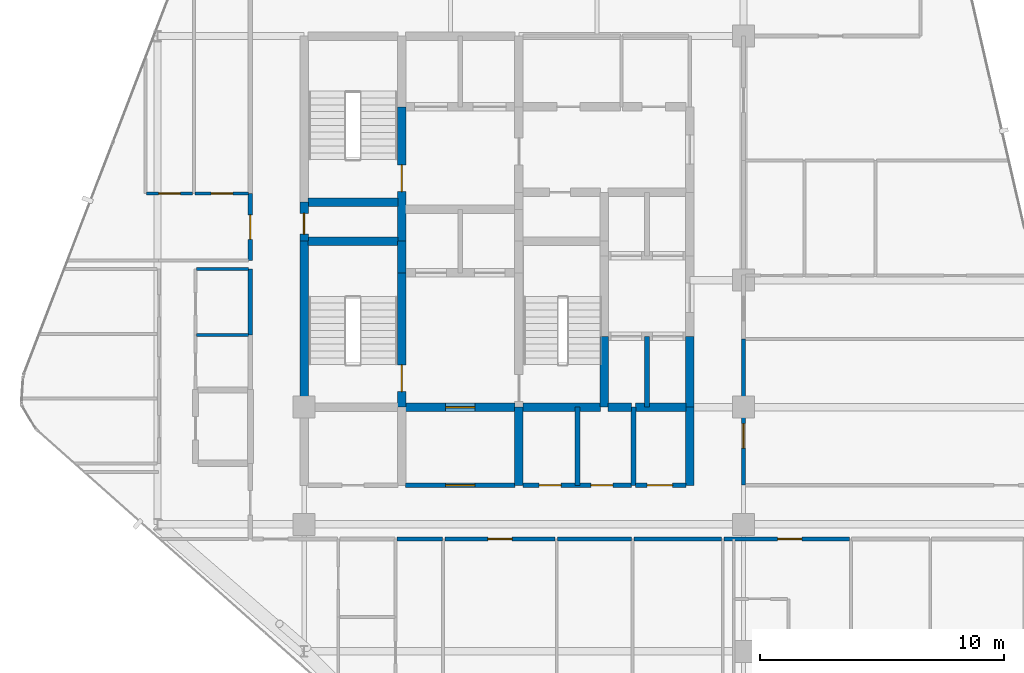
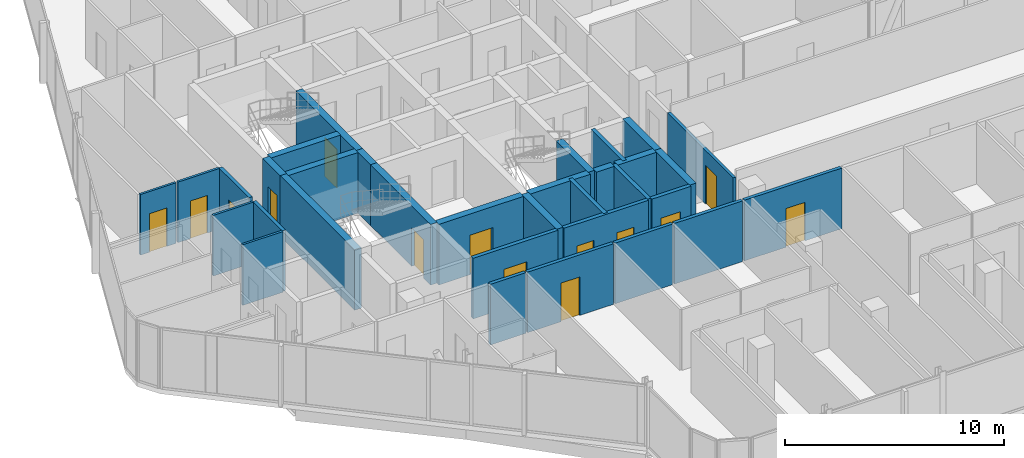
# One storey, part 24 of 29: 33 walls, 14 doors, 14 openings.
"""IFC4 building model written with IfcOpenShell, lengths in metres."""

from ifc_helpers import new_model, si_unit, direction, frame, frame_2d, origin, place, context, subcontext, project, spatial, rectangle, extrude, material, layer, layer_set, type_object, element, fill, save


model = new_model("IFC4")

# Units and contexts
model_context = context("Model", 3, precision=1e-05, world=origin(), true_north=direction((0.0, 1.0)))
body_context = subcontext(model_context, "Body", "Model", "MODEL_VIEW")
ifc_project = project(units=[si_unit("LENGTHUNIT", "METRE"), si_unit("AREAUNIT", "SQUARE_METRE"), si_unit("VOLUMEUNIT", "CUBIC_METRE"), si_unit("PLANEANGLEUNIT", "RADIAN"), si_unit("MASSUNIT", "GRAM", prefix="KILO")], contexts=[model_context])

# Site, building, storey
site_placement = place(None, origin())
site = spatial("IfcSite", under=ifc_project, at=site_placement, CompositionType="ELEMENT")
building_placement = place(site_placement, origin())
building = spatial("IfcBuilding", under=site, at=building_placement, Name="Keshet Zoharim Tower", CompositionType="ELEMENT")
storey_placement = place(building_placement, frame((0.0, 0.0, 180.199951171875)))
storey = spatial("IfcBuildingStorey", under=building, at=storey_placement, Name="L44", CompositionType="ELEMENT", Elevation=180.199951171875)

# Wall, opening, door
ifc_material_1 = material(Name="Gypsum Plasterboard", Category="gypsum")
ifc_layer_1 = layer(ifc_material_1, 0.14990234375)
ifc_layer_set_1 = layer_set([ifc_layer_1], Name="Gypsum Plasterboard")
wall_type_1 = type_object("IfcWallType", Name="WL-CLIN-150", PredefinedType="STANDARD", material=ifc_layer_set_1)
wall_1_placement = place(storey_placement, frame((33.0, 19.510009765625, 0.0), z_axis=(0.0, 0.0, 1.0), x_axis=(0.0, 1.0, 0.0)))
wall_1 = element("IfcWall", 1, at=wall_1_placement, inside=storey, type_object=wall_type_1, Name="L44 Interior Wall 075", PredefinedType="STANDARD", context=body_context, shape_type="SweptSolid", body=[
    extrude(rectangle(XDim=5.989990234375, YDim=0.14990234375, at=frame_2d((2.9951171875, 0.0))), origin(), (0.0, 0.0, 1.0), 2.97998046875),
])
opening_1_placement = place(wall_1_placement, frame((1.512939453125, 0.0, 0.0)))
opening_1 = element("IfcOpeningElement", 2, at=opening_1_placement, cuts=wall_1, Name="Opening D-F310", PredefinedType="OPENING", context=body_context, shape_type="SweptSolid", body=[
    extrude(rectangle(XDim=1.0, YDim=2.14990234375, at=frame_2d((0.5, 1.074951171875))), frame((0.0, 0.0849609375, 0.0), z_axis=(0.0, -1.0, 0.0), x_axis=(1.0, 0.0, 0.0)), (0.0, 0.0, 1.0), 0.169921875),
])
ifc_material_2 = material(Name="Hardwood Timber", Category="wood")
door_type_1 = type_object("IfcDoorType", Name="DR-FD30-100", OperationType="NOTDEFINED", PredefinedType="DOOR", material=ifc_material_2)
door_1_placement = place(opening_1_placement, origin())
door_1 = element("IfcDoor", 3, at=door_1_placement, inside=storey, type_object=door_type_1, Name="L44 South East Residents Services Suite Door 2", OperationType="SINGLE_SWING_LEFT", OverallHeight=2.14990234375, OverallWidth=1.0, PredefinedType="DOOR", context=body_context, shape_type="SweptSolid", body=[
    extrude(rectangle(XDim=1.0, YDim=2.14990234375, at=frame_2d((0.5, 1.074951171875))), frame((0.0, 0.02490234375, 0.0), z_axis=(0.0, -1.0, 0.0), x_axis=(1.0, 0.0, 0.0)), (0.0, 0.0, 1.0), 0.050048828125),
])
fill(opening_1, door_1)

# Wall
ifc_material_3 = material(Name="Concrete C60/75", Category="concrete")
ifc_layer_2 = layer(ifc_material_3, 0.35009765625)
ifc_layer_set_2 = layer_set([ifc_layer_2], Name="Concrete C60/75")
wall_type_2 = type_object("IfcWallType", Name="WL-CORE-350", PredefinedType="SHEAR", material=ifc_layer_set_2)
wall_2_placement = place(storey_placement, frame((15.0, 22.699951171875, 0.0), z_axis=(0.0, 0.0, 1.0), x_axis=(0.0, 1.0, 0.0)))
element("IfcWall", 4, at=wall_2_placement, inside=storey, type_object=wall_type_2, Name="L44 Core Shear Wall 016", PredefinedType="SHEAR", context=body_context, shape_type="SweptSolid", body=[
    extrude(rectangle(XDim=6.800048828125, YDim=0.35009765625, at=frame_2d((3.39990234375, 0.0))), origin(), (0.0, 0.0, 1.0), 3.380126953125),
])

# Wall, opening, door
wall_3_placement = place(storey_placement, frame((15.0, 29.5, 0.0), z_axis=(0.0, 0.0, 1.0), x_axis=(0.0, 1.0, 0.0)))
wall_3 = element("IfcWall", 5, at=wall_3_placement, inside=storey, type_object=wall_type_2, Name="L44 Core Shear Wall 017", PredefinedType="SHEAR", context=body_context, shape_type="SweptSolid", body=[
    extrude(rectangle(XDim=1.60009765625, YDim=0.35009765625, at=frame_2d((0.800048828125, 0.0))), origin(), (0.0, 0.0, 1.0), 3.380126953125),
])
opening_2_placement = place(wall_3_placement, frame((0.287109375, 0.0, 0.0)))
opening_2 = element("IfcOpeningElement", 6, at=opening_2_placement, cuts=wall_3, Name="Opening D-RS85", PredefinedType="OPENING", context=body_context, shape_type="SweptSolid", body=[
    extrude(rectangle(XDim=0.85009765625, YDim=2.10009765625, at=frame_2d((0.425048828125, 1.050048828125))), frame((0.0, 0.18505859375, 0.0), z_axis=(0.0, -1.0, 0.0), x_axis=(1.0, 0.0, 0.0)), (0.0, 0.0, 1.0), 0.3701171875),
])
door_type_2 = type_object("IfcDoorType", Name="DR-RIS-085", OperationType="NOTDEFINED", PredefinedType="DOOR", material=ifc_material_2)
door_2_placement = place(opening_2_placement, origin())
door_2 = element("IfcDoor", 7, at=door_2_placement, inside=storey, type_object=door_type_2, Name="L44 Electrical Riser Access Cupboard Door", OperationType="SINGLE_SWING_RIGHT", OverallHeight=2.10009765625, OverallWidth=0.85009765625, PredefinedType="DOOR", context=body_context, shape_type="SweptSolid", body=[
    extrude(rectangle(XDim=0.85009765625, YDim=2.10009765625, at=frame_2d((0.425048828125, 1.050048828125))), frame((0.0, 0.02490234375, 0.0), z_axis=(0.0, -1.0, 0.0), x_axis=(1.0, 0.0, 0.0)), (0.0, 0.0, 1.0), 0.050048828125),
])
fill(opening_2, door_2)

wall_4_placement = place(storey_placement, frame((19.0, 22.699951171875, 0.0), z_axis=(0.0, 0.0, 1.0), x_axis=(0.0, 1.0, 0.0)))
wall_4 = element("IfcWall", 8, at=wall_4_placement, inside=storey, type_object=wall_type_2, Name="L44 Core Shear Wall 027", PredefinedType="SHEAR", context=body_context, shape_type="SweptSolid", body=[
    extrude(rectangle(XDim=5.5, YDim=0.35009765625, at=frame_2d((2.75, 0.0))), origin(), (0.0, 0.0, 1.0), 3.380126953125),
])
opening_3_placement = place(wall_4_placement, frame((0.631103515625, 0.0, 0.0)))
opening_3 = element("IfcOpeningElement", 9, at=opening_3_placement, cuts=wall_4, Name="Opening D-F611", PredefinedType="OPENING", context=body_context, shape_type="SweptSolid", body=[
    extrude(rectangle(XDim=1.10009765625, YDim=2.14990234375, at=frame_2d((0.550048828125, 1.074951171875))), frame((0.0, 0.18505859375, 0.0), z_axis=(0.0, -1.0, 0.0), x_axis=(1.0, 0.0, 0.0)), (0.0, 0.0, 1.0), 0.3701171875),
])
door_type_3 = type_object("IfcDoorType", Name="DR-FD60-110", OperationType="NOTDEFINED", PredefinedType="DOOR", material=ifc_material_2)
door_3_placement = place(opening_3_placement, origin())
door_3 = element("IfcDoor", 10, at=door_3_placement, inside=storey, type_object=door_type_3, Name="L44 Exit Stair ST-01 Fire Door", OperationType="SINGLE_SWING_LEFT", OverallHeight=2.14990234375, OverallWidth=1.10009765625, PredefinedType="DOOR", context=body_context, shape_type="SweptSolid", body=[
    extrude(rectangle(XDim=1.10009765625, YDim=2.14990234375, at=frame_2d((0.550048828125, 1.074951171875))), frame((0.0, 0.02490234375, 0.0), z_axis=(0.0, -1.0, 0.0), x_axis=(1.0, 0.0, 0.0)), (0.0, 0.0, 1.0), 0.050048828125),
])
fill(opening_3, door_3)

# Wall
wall_5_placement = place(storey_placement, frame((19.0, 28.199951171875, 0.0), z_axis=(0.0, 0.0, 1.0), x_axis=(0.0, 1.0, 0.0)))
element("IfcWall", 11, at=wall_5_placement, inside=storey, type_object=wall_type_2, Name="L44 Core Shear Wall 028", PredefinedType="SHEAR", context=body_context, shape_type="SweptSolid", body=[
    extrude(rectangle(XDim=1.300048828125, YDim=0.35009765625, at=frame_2d((0.64990234375, 0.0))), origin(), (0.0, 0.0, 1.0), 3.380126953125),
])

# Wall, opening, door
wall_6_placement = place(storey_placement, frame((19.0, 29.5, 0.0), z_axis=(0.0, 0.0, 1.0), x_axis=(0.0, 1.0, 0.0)))
wall_6 = element("IfcWall", 12, at=wall_6_placement, inside=storey, type_object=wall_type_2, Name="L44 Core Shear Wall 029", PredefinedType="SHEAR", context=body_context, shape_type="SweptSolid", body=[
    extrude(rectangle(XDim=5.5, YDim=0.35009765625, at=frame_2d((2.75, 0.0))), origin(), (0.0, 0.0, 1.0), 3.380126953125),
])
opening_4_placement = place(wall_6_placement, frame((2.02490234375, 0.0, 0.0)))
opening_4 = element("IfcOpeningElement", 13, at=opening_4_placement, cuts=wall_6, Name="Opening D-F611", PredefinedType="OPENING", context=body_context, shape_type="SweptSolid", body=[
    extrude(rectangle(XDim=1.10009765625, YDim=2.14990234375, at=frame_2d((0.550048828125, 1.074951171875))), frame((0.0, 0.18505859375, 0.0), z_axis=(0.0, -1.0, 0.0), x_axis=(1.0, 0.0, 0.0)), (0.0, 0.0, 1.0), 0.3701171875),
])
door_4_placement = place(opening_4_placement, origin())
door_4 = element("IfcDoor", 14, at=door_4_placement, inside=storey, type_object=door_type_3, Name="L44 Exit Stair ST-02 Fire Door", OperationType="SINGLE_SWING_RIGHT", OverallHeight=2.14990234375, OverallWidth=1.10009765625, PredefinedType="DOOR", context=body_context, shape_type="SweptSolid", body=[
    extrude(rectangle(XDim=1.10009765625, YDim=2.14990234375, at=frame_2d((0.550048828125, 1.074951171875))), frame((0.0, 0.02490234375, 0.0), z_axis=(0.0, -1.0, 0.0), x_axis=(1.0, 0.0, 0.0)), (0.0, 0.0, 1.0), 0.050048828125),
])
fill(opening_4, door_4)

# Walls
wall_7_placement = place(storey_placement, frame((23.800048828125, 19.5, 0.0), z_axis=(0.0, 0.0, 1.0), x_axis=(0.0, 1.0, 0.0)))
element("IfcWall", 15, at=wall_7_placement, inside=storey, type_object=wall_type_2, Name="L44 Core Shear Wall 037", PredefinedType="SHEAR", context=body_context, shape_type="SweptSolid", body=[
    extrude(rectangle(XDim=3.199951171875, YDim=0.35009765625, at=frame_2d((1.60009765625, 0.0))), origin(), (0.0, 0.0, 1.0), 3.380126953125),
])
wall_8_placement = place(storey_placement, frame((27.300048828125, 22.699951171875, 0.0), z_axis=(0.0, 0.0, 1.0), x_axis=(0.0, 1.0, 0.0)))
element("IfcWall", 16, at=wall_8_placement, inside=storey, type_object=wall_type_2, Name="L44 Core Shear Wall 051", PredefinedType="SHEAR", context=body_context, shape_type="SweptSolid", body=[
    extrude(rectangle(XDim=2.900146484375, YDim=0.35009765625, at=frame_2d((1.4501953125, 0.0))), origin(), (0.0, 0.0, 1.0), 3.380126953125),
])
wall_9_placement = place(storey_placement, frame((30.800048828125, 19.5, 0.0), z_axis=(0.0, 0.0, 1.0), x_axis=(0.0, 1.0, 0.0)))
element("IfcWall", 17, at=wall_9_placement, inside=storey, type_object=wall_type_2, Name="L44 Core Shear Wall 061", PredefinedType="SHEAR", context=body_context, shape_type="SweptSolid", body=[
    extrude(rectangle(XDim=3.199951171875, YDim=0.35009765625, at=frame_2d((1.60009765625, 0.0))), origin(), (0.0, 0.0, 1.0), 3.380126953125),
])
wall_10_placement = place(storey_placement, frame((30.800048828125, 22.699951171875, 0.0), z_axis=(0.0, 0.0, 1.0), x_axis=(0.0, 1.0, 0.0)))
element("IfcWall", 18, at=wall_10_placement, inside=storey, type_object=wall_type_2, Name="L44 Core Shear Wall 062", PredefinedType="SHEAR", context=body_context, shape_type="SweptSolid", body=[
    extrude(rectangle(XDim=2.900146484375, YDim=0.35009765625, at=frame_2d((1.4501953125, 0.0))), origin(), (0.0, 0.0, 1.0), 3.380126953125),
])

# Wall, opening, door
wall_11_placement = place(storey_placement, frame((19.159912109375, 22.699951171875, 0.0), z_axis=(0.0, 0.0, 1.0), x_axis=(1.0, 0.0, 0.0)))
wall_11 = element("IfcWall", 19, at=wall_11_placement, inside=storey, type_object=wall_type_2, Name="L44 Core Shear Wall 145", PredefinedType="SHEAR", context=body_context, shape_type="SweptSolid", body=[
    extrude(rectangle(XDim=4.47998046875, YDim=0.35009765625, at=frame_2d((2.239990234375, 0.0))), origin(), (0.0, 0.0, 1.0), 3.380126953125),
])
opening_5_placement = place(wall_11_placement, frame((1.639892578125, 0.0, 0.0)))
opening_5 = element("IfcOpeningElement", 20, at=opening_5_placement, cuts=wall_11, Name="Opening D-F612", PredefinedType="OPENING", context=body_context, shape_type="SweptSolid", body=[
    extrude(rectangle(XDim=1.199951171875, YDim=2.199951171875, at=frame_2d((0.60009765625, 1.10009765625))), frame((0.0, 0.18505859375, 0.0), z_axis=(0.0, -1.0, 0.0), x_axis=(1.0, 0.0, 0.0)), (0.0, 0.0, 1.0), 0.3701171875),
])
door_type_4 = type_object("IfcDoorType", Name="DR-FD60-120", OperationType="NOTDEFINED", PredefinedType="DOOR", material=ifc_material_2)
door_5_placement = place(opening_5_placement, origin())
door_5 = element("IfcDoor", 21, at=door_5_placement, inside=storey, type_object=door_type_4, Name="L44 South Core Lobby Fire Door", OperationType="SINGLE_SWING_RIGHT", OverallHeight=2.199951171875, OverallWidth=1.199951171875, PredefinedType="DOOR", context=body_context, shape_type="SweptSolid", body=[
    extrude(rectangle(XDim=1.199951171875, YDim=2.199951171875, at=frame_2d((0.60009765625, 1.10009765625))), frame((0.0, 0.02490234375, 0.0), z_axis=(0.0, -1.0, 0.0), x_axis=(1.0, 0.0, 0.0)), (0.0, 0.0, 1.0), 0.050048828125),
])
fill(opening_5, door_5)

# Walls
wall_12_placement = place(storey_placement, frame((23.9599609375, 22.699951171875, 0.0), z_axis=(0.0, 0.0, 1.0), x_axis=(1.0, 0.0, 0.0)))
element("IfcWall", 22, at=wall_12_placement, inside=storey, type_object=wall_type_2, Name="L44 Core Shear Wall 146", PredefinedType="SHEAR", context=body_context, shape_type="SweptSolid", body=[
    extrude(rectangle(XDim=3.179931640625, YDim=0.35009765625, at=frame_2d((1.58984375, 0.0))), origin(), (0.0, 0.0, 1.0), 3.380126953125),
])
wall_13_placement = place(storey_placement, frame((27.4599609375, 22.699951171875, 0.0), z_axis=(0.0, 0.0, 1.0), x_axis=(1.0, 0.0, 0.0)))
element("IfcWall", 23, at=wall_13_placement, inside=storey, type_object=wall_type_2, Name="L44 Core Shear Wall 147", PredefinedType="SHEAR", context=body_context, shape_type="SweptSolid", body=[
    extrude(rectangle(XDim=0.955078125, YDim=0.35009765625, at=frame_2d((0.4775390625, 0.0))), origin(), (0.0, 0.0, 1.0), 3.380126953125),
])
wall_14_placement = place(storey_placement, frame((28.5849609375, 22.699951171875, 0.0), z_axis=(0.0, 0.0, 1.0), x_axis=(1.0, 0.0, 0.0)))
element("IfcWall", 24, at=wall_14_placement, inside=storey, type_object=wall_type_2, Name="L44 Core Shear Wall 148", PredefinedType="SHEAR", context=body_context, shape_type="SweptSolid", body=[
    extrude(rectangle(XDim=2.054931640625, YDim=0.35009765625, at=frame_2d((1.02734375, 0.0))), origin(), (0.0, 0.0, 1.0), 3.380126953125),
])
for number, where, z_axis, x_axis, name in (
    (25, (15.159912109375, 29.5, 0.0), (0.0, 0.0, 1.0), (1.0, 0.0, 0.0), "L44 Core Shear Wall 164"),
    (26, (15.159912109375, 31.10009765625, 0.0), (0.0, 0.0, 1.0), (1.0, 0.0, 0.0), "L44 Core Shear Wall 167"),
):
    element("IfcWall", number, at=place(storey_placement, frame(where, z_axis=z_axis, x_axis=x_axis)), inside=storey, type_object=wall_type_2, Name=name, PredefinedType="SHEAR", context=body_context, shape_type="SweptSolid", body=[
        extrude(rectangle(XDim=3.68017578125, YDim=0.35009765625, at=frame_2d((1.840087890625, 0.0))), origin(), (0.0, 0.0, 1.0), 3.380126953125),
    ])
ifc_layer_3 = layer(ifc_material_1, 0.179931640625)
ifc_layer_set_3 = layer_set([ifc_layer_3], Name="Gypsum Plasterboard")
wall_type_3 = type_object("IfcWallType", Name="WL-CORR-180", PredefinedType="STANDARD", material=ifc_layer_set_3)
wall_15_placement = place(storey_placement, frame((12.800048828125, 25.64697265625, 0.0), z_axis=(0.0, 0.0, 1.0), x_axis=(0.0, 1.0, 0.0)))
element("IfcWall", 27, at=wall_15_placement, inside=storey, type_object=wall_type_3, Name="L44 Interior Wall 010", PredefinedType="STANDARD", context=body_context, shape_type="SweptSolid", body=[
    extrude(rectangle(XDim=2.703125, YDim=0.179931640625, at=frame_2d((1.3515625, 0.0))), origin(), (0.0, 0.0, 1.0), 3.380126953125),
])

# Wall, opening, door
wall_16_placement = place(storey_placement, frame((12.800048828125, 28.699951171875, 0.0), z_axis=(0.0, 0.0, 1.0), x_axis=(0.0, 1.0, 0.0)))
wall_16 = element("IfcWall", 28, at=wall_16_placement, inside=storey, type_object=wall_type_3, Name="L44 Interior Wall 011", PredefinedType="STANDARD", context=body_context, shape_type="SweptSolid", body=[
    extrude(rectangle(XDim=2.75, YDim=0.179931640625, at=frame_2d((1.375, 0.0))), origin(), (0.0, 0.0, 1.0), 3.380126953125),
])
opening_6_placement = place(wall_16_placement, frame((0.875, 0.0, 0.0)))
opening_6 = element("IfcOpeningElement", 29, at=opening_6_placement, cuts=wall_16, Name="Opening D-F310", PredefinedType="OPENING", context=body_context, shape_type="SweptSolid", body=[
    extrude(rectangle(XDim=1.0, YDim=2.14990234375, at=frame_2d((0.5, 1.074951171875))), frame((0.0, 0.10009765625, 0.0), z_axis=(0.0, -1.0, 0.0), x_axis=(1.0, 0.0, 0.0)), (0.0, 0.0, 1.0), 0.199951171875),
])
door_6_placement = place(opening_6_placement, origin())
door_6 = element("IfcDoor", 30, at=door_6_placement, inside=storey, type_object=door_type_1, Name="Apartment 4410 Entrance Door", OperationType="SINGLE_SWING_LEFT", OverallHeight=2.14990234375, OverallWidth=1.0, PredefinedType="DOOR", context=body_context, shape_type="SweptSolid", body=[
    extrude(rectangle(XDim=1.0, YDim=2.14990234375, at=frame_2d((0.5, 1.074951171875))), frame((0.0, 0.02490234375, 0.0), z_axis=(0.0, -1.0, 0.0), x_axis=(1.0, 0.0, 0.0)), (0.0, 0.0, 1.0), 0.050048828125),
])
fill(opening_6, door_6)

# Wall
wall_17_placement = place(storey_placement, frame((18.81494140625, 17.300048828125, 0.0), z_axis=(0.0, 0.0, 1.0), x_axis=(1.0, 0.0, 0.0)))
element("IfcWall", 31, at=wall_17_placement, inside=storey, type_object=wall_type_3, Name="L44 Interior Wall 124", PredefinedType="STANDARD", context=body_context, shape_type="SweptSolid", body=[
    extrude(rectangle(XDim=1.860107421875, YDim=0.179931640625, at=frame_2d((0.93017578125, 0.0))), origin(), (0.0, 0.0, 1.0), 3.380126953125),
])

# Wall, opening, door
wall_18_placement = place(storey_placement, frame((20.764892578125, 17.300048828125, 0.0), z_axis=(0.0, 0.0, 1.0), x_axis=(1.0, 0.0, 0.0)))
wall_18 = element("IfcWall", 32, at=wall_18_placement, inside=storey, type_object=wall_type_3, Name="L44 Interior Wall 125", PredefinedType="STANDARD", context=body_context, shape_type="SweptSolid", body=[
    extrude(rectangle(XDim=4.52001953125, YDim=0.179931640625, at=frame_2d((2.260009765625, 0.0))), origin(), (0.0, 0.0, 1.0), 3.380126953125),
])
opening_7_placement = place(wall_18_placement, frame((1.760009765625, 0.0, 0.0)))
opening_7 = element("IfcOpeningElement", 33, at=opening_7_placement, cuts=wall_18, Name="Opening D-F310", PredefinedType="OPENING", context=body_context, shape_type="SweptSolid", body=[
    extrude(rectangle(XDim=1.0, YDim=2.14990234375, at=frame_2d((0.5, 1.074951171875))), frame((0.0, 0.10009765625, 0.0), z_axis=(0.0, -1.0, 0.0), x_axis=(1.0, 0.0, 0.0)), (0.0, 0.0, 1.0), 0.199951171875),
])
door_7_placement = place(opening_7_placement, origin())
door_7 = element("IfcDoor", 34, at=door_7_placement, inside=storey, type_object=door_type_1, Name="Apartment 4402 Entrance Door", OperationType="SINGLE_SWING_LEFT", OverallHeight=2.14990234375, OverallWidth=1.0, PredefinedType="DOOR", context=body_context, shape_type="SweptSolid", body=[
    extrude(rectangle(XDim=1.0, YDim=2.14990234375, at=frame_2d((0.5, 1.074951171875))), frame((0.0, 0.02490234375, 0.0), z_axis=(0.0, -1.0, 0.0), x_axis=(1.0, 0.0, 0.0)), (0.0, 0.0, 1.0), 0.050048828125),
])
fill(opening_7, door_7)

# Walls
wall_19_placement = place(storey_placement, frame((25.375, 17.300048828125, 0.0), z_axis=(0.0, 0.0, 1.0), x_axis=(1.0, 0.0, 0.0)))
element("IfcWall", 35, at=wall_19_placement, inside=storey, type_object=wall_type_3, Name="L44 Interior Wall 126", PredefinedType="STANDARD", context=body_context, shape_type="SweptSolid", body=[
    extrude(rectangle(XDim=3.047119140625, YDim=0.179931640625, at=frame_2d((1.5234375, 0.0))), origin(), (0.0, 0.0, 1.0), 3.380126953125),
])
wall_20_placement = place(storey_placement, frame((28.511962890625, 17.300048828125, 0.0), z_axis=(0.0, 0.0, 1.0), x_axis=(1.0, 0.0, 0.0)))
element("IfcWall", 36, at=wall_20_placement, inside=storey, type_object=wall_type_3, Name="L44 Interior Wall 127", PredefinedType="STANDARD", context=body_context, shape_type="SweptSolid", body=[
    extrude(rectangle(XDim=3.593017578125, YDim=0.179931640625, at=frame_2d((1.79638671875, 0.0))), origin(), (0.0, 0.0, 1.0), 3.380126953125),
])

# Wall, opening, door
wall_21_placement = place(storey_placement, frame((32.195068359375, 17.300048828125, 0.0), z_axis=(0.0, 0.0, 1.0), x_axis=(1.0, 0.0, 0.0)))
wall_21 = element("IfcWall", 37, at=wall_21_placement, inside=storey, type_object=wall_type_3, Name="L44 Interior Wall 128", PredefinedType="STANDARD", context=body_context, shape_type="SweptSolid", body=[
    extrude(rectangle(XDim=5.139892578125, YDim=0.179931640625, at=frame_2d((2.56982421875, 0.0))), origin(), (0.0, 0.0, 1.0), 3.380126953125),
])
opening_8_placement = place(wall_21_placement, frame((2.197998046875, 0.0, 0.0)))
opening_8 = element("IfcOpeningElement", 38, at=opening_8_placement, cuts=wall_21, Name="Opening D-F310", PredefinedType="OPENING", context=body_context, shape_type="SweptSolid", body=[
    extrude(rectangle(XDim=1.0, YDim=2.14990234375, at=frame_2d((0.5, 1.074951171875))), frame((0.0, 0.10009765625, 0.0), z_axis=(0.0, -1.0, 0.0), x_axis=(1.0, 0.0, 0.0)), (0.0, 0.0, 1.0), 0.199951171875),
])
door_8_placement = place(opening_8_placement, origin())
door_8 = element("IfcDoor", 39, at=door_8_placement, inside=storey, type_object=door_type_1, Name="Apartment 4403 Entrance Door", OperationType="SINGLE_SWING_RIGHT", OverallHeight=2.14990234375, OverallWidth=1.0, PredefinedType="DOOR", context=body_context, shape_type="SweptSolid", body=[
    extrude(rectangle(XDim=1.0, YDim=2.14990234375, at=frame_2d((0.5, 1.074951171875))), frame((0.0, 0.02490234375, 0.0), z_axis=(0.0, -1.0, 0.0), x_axis=(1.0, 0.0, 0.0)), (0.0, 0.0, 1.0), 0.050048828125),
])
fill(opening_8, door_8)

# Walls
ifc_material_4 = material(Name="Concrete C50/60", Category="concrete")
ifc_layer_4 = layer(ifc_material_4, 0.199951171875)
ifc_layer_set_4 = layer_set([ifc_layer_4], Name="Concrete C50/60")
wall_type_4 = type_object("IfcWallType", Name="WL-FIRE-200", PredefinedType="STANDARD", material=ifc_layer_set_4)
for number, where, z_axis, x_axis, name in (
    (40, (26.199951171875, 19.5, 0.0), (0.0, 0.0, 1.0), (0.0, 1.0, 0.0), "L44 Interior Wall 047"),
    (41, (28.5, 19.5, 0.0), (0.0, 0.0, 1.0), (0.0, 1.0, 0.0), "L44 Interior Wall 057"),
):
    element("IfcWall", number, at=place(storey_placement, frame(where, z_axis=z_axis, x_axis=x_axis)), inside=storey, type_object=wall_type_4, Name=name, PredefinedType="STANDARD", context=body_context, shape_type="SweptSolid", body=[
        extrude(rectangle(XDim=3.199951171875, YDim=0.199951171875, at=frame_2d((1.60009765625, 0.0))), origin(), (0.0, 0.0, 1.0), 3.380126953125),
    ])
wall_22_placement = place(storey_placement, frame((29.050048828125, 22.699951171875, 0.0), z_axis=(0.0, 0.0, 1.0), x_axis=(0.0, 1.0, 0.0)))
element("IfcWall", 42, at=wall_22_placement, inside=storey, type_object=wall_type_4, Name="L44 Interior Wall 059", PredefinedType="STANDARD", context=body_context, shape_type="SweptSolid", body=[
    extrude(rectangle(XDim=2.900146484375, YDim=0.199951171875, at=frame_2d((1.4501953125, 0.0))), origin(), (0.0, 0.0, 1.0), 3.380126953125),
])

# Wall, opening, door
wall_23_placement = place(storey_placement, frame((19.159912109375, 19.5, 0.0), z_axis=(0.0, 0.0, 1.0), x_axis=(1.0, 0.0, 0.0)))
wall_23 = element("IfcWall", 43, at=wall_23_placement, inside=storey, type_object=wall_type_4, Name="L44 Interior Wall 137", PredefinedType="STANDARD", context=body_context, shape_type="SweptSolid", body=[
    extrude(rectangle(XDim=4.47998046875, YDim=0.199951171875, at=frame_2d((2.239990234375, 0.0))), origin(), (0.0, 0.0, 1.0), 3.380126953125),
])
opening_9_placement = place(wall_23_placement, frame((1.639892578125, 0.0, 0.0)))
opening_9 = element("IfcOpeningElement", 44, at=opening_9_placement, cuts=wall_23, Name="Opening D-F612", PredefinedType="OPENING", context=body_context, shape_type="SweptSolid", body=[
    extrude(rectangle(XDim=1.199951171875, YDim=2.199951171875, at=frame_2d((0.60009765625, 1.10009765625))), frame((0.0, 0.10986328125, 0.0), z_axis=(0.0, -1.0, 0.0), x_axis=(1.0, 0.0, 0.0)), (0.0, 0.0, 1.0), 0.219970703125),
])
door_9_placement = place(opening_9_placement, origin())
door_9 = element("IfcDoor", 45, at=door_9_placement, inside=storey, type_object=door_type_4, Name="L44 South Vestibule Corridor Door", OperationType="SINGLE_SWING_LEFT", OverallHeight=2.199951171875, OverallWidth=1.199951171875, PredefinedType="DOOR", context=body_context, shape_type="SweptSolid", body=[
    extrude(rectangle(XDim=1.199951171875, YDim=2.199951171875, at=frame_2d((0.60009765625, 1.10009765625))), frame((0.0, 0.02490234375, 0.0), z_axis=(0.0, -1.0, 0.0), x_axis=(1.0, 0.0, 0.0)), (0.0, 0.0, 1.0), 0.050048828125),
])
fill(opening_9, door_9)

# Wall, openings, doors
wall_24_placement = place(storey_placement, frame((23.9599609375, 19.5, 0.0), z_axis=(0.0, 0.0, 1.0), x_axis=(1.0, 0.0, 0.0)))
wall_24 = element("IfcWall", 46, at=wall_24_placement, inside=storey, type_object=wall_type_4, Name="L44 Interior Wall 138", PredefinedType="STANDARD", context=body_context, shape_type="SweptSolid", body=[
    extrude(rectangle(XDim=4.455078125, YDim=0.199951171875, at=frame_2d((2.2275390625, 0.0))), origin(), (0.0, 0.0, 1.0), 3.380126953125),
])
opening_10_placement = place(wall_24_placement, frame((0.6650390625, 0.0, 0.0)))
opening_10 = element("IfcOpeningElement", 47, at=opening_10_placement, cuts=wall_24, Name="Opening D-F690", PredefinedType="OPENING", context=body_context, shape_type="SweptSolid", body=[
    extrude(rectangle(XDim=0.89990234375, YDim=2.14990234375, at=frame_2d((0.449951171875, 1.074951171875))), frame((0.0, 0.10986328125, 0.0), z_axis=(0.0, -1.0, 0.0), x_axis=(1.0, 0.0, 0.0)), (0.0, 0.0, 1.0), 0.219970703125),
])
opening_11_placement = place(wall_24_placement, frame((2.791015625, 0.0, 0.0)))
opening_11 = element("IfcOpeningElement", 48, at=opening_11_placement, cuts=wall_24, Name="Opening D-F690", PredefinedType="OPENING", context=body_context, shape_type="SweptSolid", body=[
    extrude(rectangle(XDim=0.89990234375, YDim=2.14990234375, at=frame_2d((0.449951171875, 1.074951171875))), frame((0.0, 0.10986328125, 0.0), z_axis=(0.0, -1.0, 0.0), x_axis=(1.0, 0.0, 0.0)), (0.0, 0.0, 1.0), 0.219970703125),
])
door_type_5 = type_object("IfcDoorType", Name="DR-FD60-090", OperationType="NOTDEFINED", PredefinedType="DOOR", material=ifc_material_2)
door_10_placement = place(opening_10_placement, origin())
door_10 = element("IfcDoor", 49, at=door_10_placement, inside=storey, type_object=door_type_5, Name="L44 Switchgear Room Door", OperationType="SINGLE_SWING_RIGHT", OverallHeight=2.14990234375, OverallWidth=0.89990234375, PredefinedType="DOOR", context=body_context, shape_type="SweptSolid", body=[
    extrude(rectangle(XDim=0.89990234375, YDim=2.14990234375, at=frame_2d((0.449951171875, 1.074951171875))), frame((0.0, 0.02490234375, 0.0), z_axis=(0.0, -1.0, 0.0), x_axis=(1.0, 0.0, 0.0)), (0.0, 0.0, 1.0), 0.050048828125),
])
fill(opening_10, door_10)
door_11_placement = place(opening_11_placement, origin())
door_11 = element("IfcDoor", 50, at=door_11_placement, inside=storey, type_object=door_type_5, Name="L44 Telecom Room Door", OperationType="SINGLE_SWING_LEFT", OverallHeight=2.14990234375, OverallWidth=0.89990234375, PredefinedType="DOOR", context=body_context, shape_type="SweptSolid", body=[
    extrude(rectangle(XDim=0.89990234375, YDim=2.14990234375, at=frame_2d((0.449951171875, 1.074951171875))), frame((0.0, 0.02490234375, 0.0), z_axis=(0.0, -1.0, 0.0), x_axis=(1.0, 0.0, 0.0)), (0.0, 0.0, 1.0), 0.050048828125),
])
fill(opening_11, door_11)

# Wall, opening, door
wall_25_placement = place(storey_placement, frame((28.5849609375, 19.5, 0.0), z_axis=(0.0, 0.0, 1.0), x_axis=(1.0, 0.0, 0.0)))
wall_25 = element("IfcWall", 51, at=wall_25_placement, inside=storey, type_object=wall_type_4, Name="L44 Interior Wall 139", PredefinedType="STANDARD", context=body_context, shape_type="SweptSolid", body=[
    extrude(rectangle(XDim=2.054931640625, YDim=0.199951171875, at=frame_2d((1.02734375, 0.0))), origin(), (0.0, 0.0, 1.0), 3.380126953125),
])
opening_12_placement = place(wall_25_placement, frame((0.466064453125, 0.0, 0.0)))
opening_12 = element("IfcOpeningElement", 52, at=opening_12_placement, cuts=wall_25, Name="Opening D-AC10", PredefinedType="OPENING", context=body_context, shape_type="SweptSolid", body=[
    extrude(rectangle(XDim=1.050048828125, YDim=2.14990234375, at=frame_2d((0.52490234375, 1.074951171875))), frame((0.0, 0.10986328125, 0.0), z_axis=(0.0, -1.0, 0.0), x_axis=(1.0, 0.0, 0.0)), (0.0, 0.0, 1.0), 0.219970703125),
])
door_type_6 = type_object("IfcDoorType", Name="DR-ACC-105", OperationType="NOTDEFINED", PredefinedType="DOOR", material=ifc_material_2)
door_12_placement = place(opening_12_placement, origin())
door_12 = element("IfcDoor", 53, at=door_12_placement, inside=storey, type_object=door_type_6, Name="L44 Accessible WC Door", OperationType="SINGLE_SWING_RIGHT", OverallHeight=2.14990234375, OverallWidth=1.050048828125, PredefinedType="DOOR", context=body_context, shape_type="SweptSolid", body=[
    extrude(rectangle(XDim=1.050048828125, YDim=2.14990234375, at=frame_2d((0.52490234375, 1.074951171875))), frame((0.0, 0.02490234375, 0.0), z_axis=(0.0, -1.0, 0.0), x_axis=(1.0, 0.0, 0.0)), (0.0, 0.0, 1.0), 0.050048828125),
])
fill(opening_12, door_12)

# Wall
ifc_layer_5 = layer(ifc_material_1, 0.1201171875)
ifc_layer_set_5 = layer_set([ifc_layer_5], Name="Gypsum Plasterboard")
wall_type_5 = type_object("IfcWallType", Name="WL-PART-120", PredefinedType="PARTITIONING", material=ifc_layer_set_5)
wall_26_placement = place(storey_placement, frame((10.594970703125, 28.35009765625, 0.0), z_axis=(0.0, 0.0, 1.0), x_axis=(1.0, 0.0, 0.0)))
element("IfcWall", 54, at=wall_26_placement, inside=storey, type_object=wall_type_5, Name="L44 Interior Wall 160", PredefinedType="PARTITIONING", context=body_context, shape_type="SweptSolid", body=[
    extrude(rectangle(XDim=2.130126953125, YDim=0.1201171875, at=frame_2d((1.06494140625, 0.0))), origin(), (0.0, 0.0, 1.0), 3.380126953125),
])

# Wall, opening, door
wall_27_placement = place(storey_placement, frame((8.544921875, 31.449951171875, 0.0), z_axis=(0.0, 0.0, 1.0), x_axis=(1.0, 0.0, 0.0)))
wall_27 = element("IfcWall", 55, at=wall_27_placement, inside=storey, type_object=wall_type_5, Name="L44 Interior Wall 168", PredefinedType="PARTITIONING", context=body_context, shape_type="SweptSolid", body=[
    extrude(rectangle(XDim=1.88818359375, YDim=0.1201171875, at=frame_2d((0.944091796875, 0.0))), origin(), (0.0, 0.0, 1.0), 3.380126953125),
])
opening_13_placement = place(wall_27_placement, frame((0.493896484375, 0.0, 0.0)))
opening_13 = element("IfcOpeningElement", 56, at=opening_13_placement, cuts=wall_27, Name="Opening D-IN90", PredefinedType="OPENING", context=body_context, shape_type="SweptSolid", body=[
    extrude(rectangle(XDim=0.89990234375, YDim=2.14990234375, at=frame_2d((0.449951171875, 1.074951171875))), frame((0.0, 0.070068359375, 0.0), z_axis=(0.0, -1.0, 0.0), x_axis=(1.0, 0.0, 0.0)), (0.0, 0.0, 1.0), 0.14013671875),
])
door_type_7 = type_object("IfcDoorType", Name="DR-INT-090", OperationType="NOTDEFINED", PredefinedType="DOOR", material=ifc_material_2)
door_13_placement = place(opening_13_placement, origin())
door_13 = element("IfcDoor", 57, at=door_13_placement, inside=storey, type_object=door_type_7, Name="Apartment 4410 Kitchen Door", OperationType="SINGLE_SWING_RIGHT", OverallHeight=2.14990234375, OverallWidth=0.89990234375, PredefinedType="DOOR", context=body_context, shape_type="SweptSolid", body=[
    extrude(rectangle(XDim=0.89990234375, YDim=2.14990234375, at=frame_2d((0.449951171875, 1.074951171875))), frame((0.0, 0.02490234375, 0.0), z_axis=(0.0, -1.0, 0.0), x_axis=(1.0, 0.0, 0.0)), (0.0, 0.0, 1.0), 0.050048828125),
])
fill(opening_13, door_13)

# Wall
ifc_layer_6 = layer(ifc_material_1, 0.1201171875)
ifc_layer_set_6 = layer_set([ifc_layer_6], Name="Gypsum Plasterboard")
wall_type_6 = type_object("IfcWallType", Name="WL-WET-120", PredefinedType="PARTITIONING", material=ifc_layer_set_6)
wall_28_placement = place(storey_placement, frame((10.594970703125, 25.64990234375, 0.0), z_axis=(0.0, 0.0, 1.0), x_axis=(1.0, 0.0, 0.0)))
element("IfcWall", 58, at=wall_28_placement, inside=storey, type_object=wall_type_6, Name="L44 Interior Wall 153", PredefinedType="PARTITIONING", context=body_context, shape_type="SweptSolid", body=[
    extrude(rectangle(XDim=2.130126953125, YDim=0.1201171875, at=frame_2d((1.06494140625, 0.0))), origin(), (0.0, 0.0, 1.0), 3.380126953125),
])

# Wall, opening, door
wall_29_placement = place(storey_placement, frame((10.52294921875, 31.449951171875, 0.0), z_axis=(0.0, 0.0, 1.0), x_axis=(1.0, 0.0, 0.0)))
wall_29 = element("IfcWall", 59, at=wall_29_placement, inside=storey, type_object=wall_type_6, Name="L44 Interior Wall 169", PredefinedType="PARTITIONING", context=body_context, shape_type="SweptSolid", body=[
    extrude(rectangle(XDim=2.2021484375, YDim=0.1201171875, at=frame_2d((1.10107421875, 0.0))), origin(), (0.0, 0.0, 1.0), 3.380126953125),
])
opening_14_placement = place(wall_29_placement, frame((0.666015625, 0.0, 0.0)))
opening_14 = element("IfcOpeningElement", 60, at=opening_14_placement, cuts=wall_29, Name="Opening D-WT90", PredefinedType="OPENING", context=body_context, shape_type="SweptSolid", body=[
    extrude(rectangle(XDim=0.89990234375, YDim=2.10009765625, at=frame_2d((0.449951171875, 1.050048828125))), frame((0.0, 0.070068359375, 0.0), z_axis=(0.0, -1.0, 0.0), x_axis=(1.0, 0.0, 0.0)), (0.0, 0.0, 1.0), 0.14013671875),
])
door_type_8 = type_object("IfcDoorType", Name="DR-WET-090", OperationType="NOTDEFINED", PredefinedType="DOOR", material=ifc_material_2)
door_14_placement = place(opening_14_placement, origin())
door_14 = element("IfcDoor", 61, at=door_14_placement, inside=storey, type_object=door_type_8, Name="Apartment 4410 Bathroom Door", OperationType="SINGLE_SWING_LEFT", OverallHeight=2.10009765625, OverallWidth=0.89990234375, PredefinedType="DOOR", context=body_context, shape_type="SweptSolid", body=[
    extrude(rectangle(XDim=0.89990234375, YDim=2.10009765625, at=frame_2d((0.449951171875, 1.050048828125))), frame((0.0, 0.02490234375, 0.0), z_axis=(0.0, -1.0, 0.0), x_axis=(1.0, 0.0, 0.0)), (0.0, 0.0, 1.0), 0.050048828125),
])
fill(opening_14, door_14)

save(model, "model.ifc")
